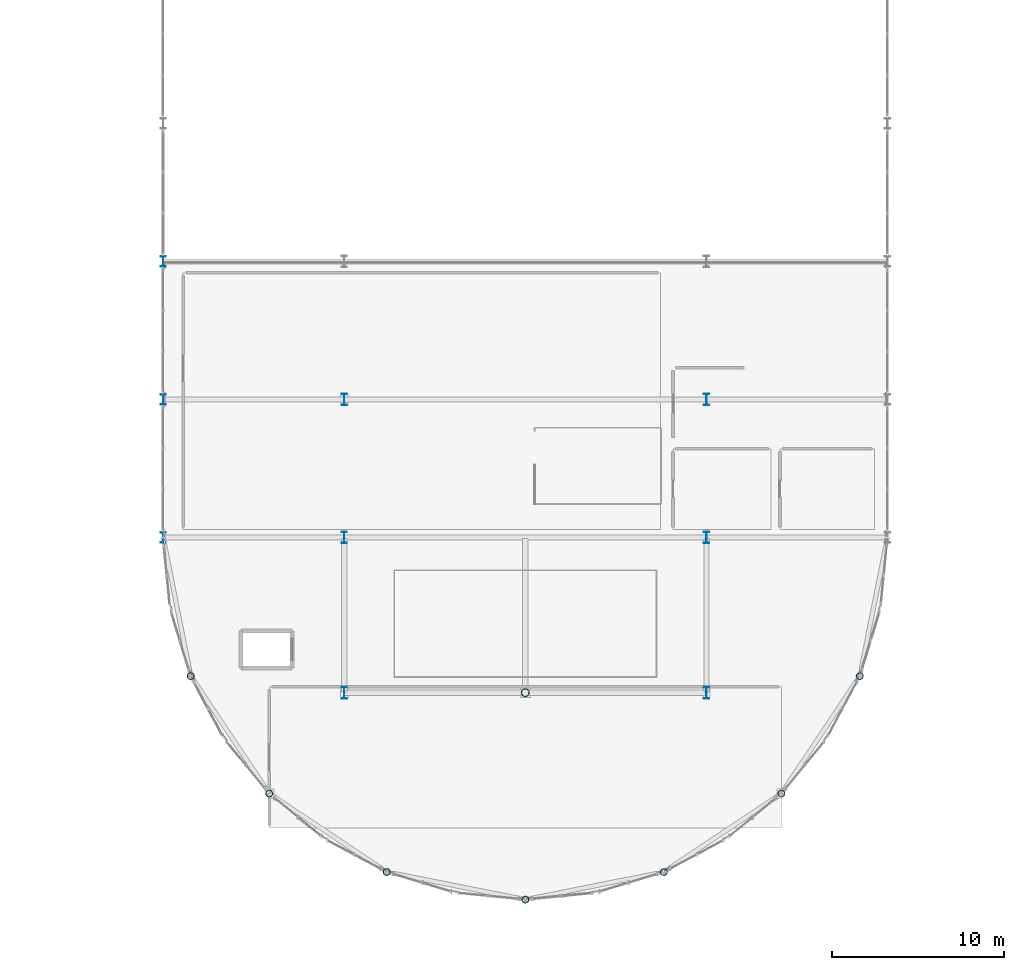
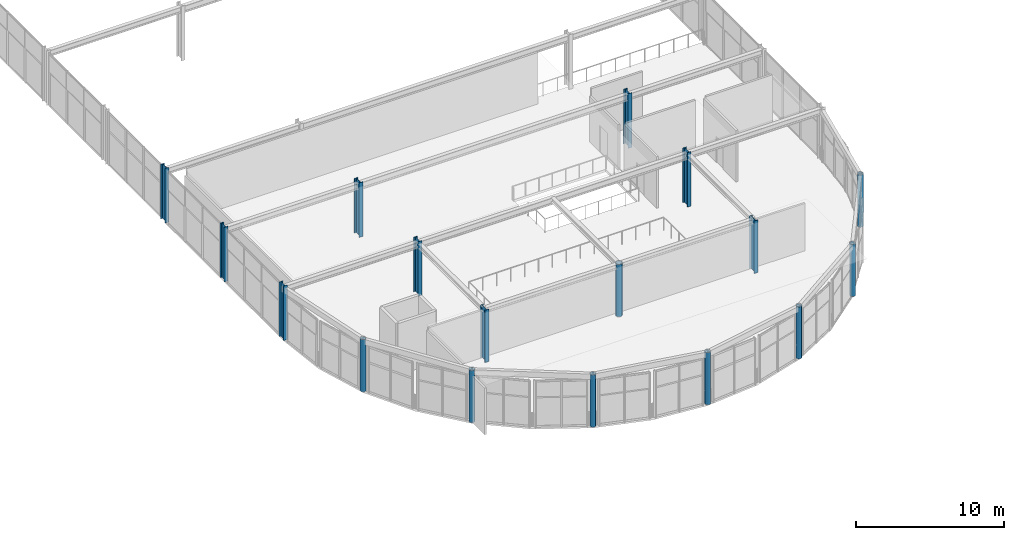
# One storey, part 1 of 105: 17 columns.
"""IFC4 building model written with IfcOpenShell, lengths in metres."""

from ifc_helpers import new_model, si_unit, direction, frame, origin, origin_2d, place, context, subcontext, project, spatial, hollow_circle, i_section, extrude, material, material_profile, profile_set, type_object, element, save


model = new_model("IFC4")

# Units and contexts
model_context = context("Model", 3, precision=1e-05, world=origin(), true_north=direction((0.0, 1.0)))
body_context = subcontext(model_context, "Body", "Model", "MODEL_VIEW")
ifc_project = project(units=[si_unit("LENGTHUNIT", "METRE"), si_unit("AREAUNIT", "SQUARE_METRE"), si_unit("VOLUMEUNIT", "CUBIC_METRE"), si_unit("PLANEANGLEUNIT", "RADIAN"), si_unit("MASSUNIT", "GRAM", prefix="KILO")], contexts=[model_context])

# Site, building, storey
site_placement = place(None, origin())
site = spatial("IfcSite", under=ifc_project, at=site_placement, CompositionType="ELEMENT")
building_placement = place(site_placement, origin())
building = spatial("IfcBuilding", under=site, at=building_placement, Name="Marlcrest Central Station", CompositionType="ELEMENT")
storey_placement = place(building_placement, frame((0.0, 0.0, 15.0)))
storey = spatial("IfcBuildingStorey", under=building, at=storey_placement, Name="L03", CompositionType="ELEMENT", Elevation=15.0)

# Columns
ifc_material = material(Name="Steel S355", Category="steel")
ifc_material_profile_1 = material_profile(ifc_material, i_section(OverallWidth=0.300048828125, OverallDepth=0.60009765625, WebThickness=0.015380859375, FlangeThickness=0.030029296875, FilletRadius=0.027099609375, at=origin_2d()), Name="HEB 600")
ifc_profile_set_1 = profile_set([ifc_material_profile_1], Name="Steel S355")
column_type_1 = type_object("IfcColumnType", Name="SC-05", PredefinedType="COLUMN", material=ifc_profile_set_1)
for number, where, z_axis, x_axis, name in (
    (1, (87.0, 22.5, 0.0), (0.0, 0.0, 1.0), (1.0, 0.0, 0.0), "col-SC-05-L03-0678"),
    (2, (87.0, 30.5, 0.0), (0.0, 0.0, 1.0), (1.0, 0.0, 0.0), "col-SC-05-L03-0696"),
    (3, (87.0, 38.5, 0.0), (0.0, 0.0, 1.0), (1.0, 0.0, 0.0), "col-SC-05-L03-0704"),
):
    element("IfcColumn", number, at=place(storey_placement, frame(where, z_axis=z_axis, x_axis=x_axis)), inside=storey, type_object=column_type_1, Name=name, PredefinedType="COLUMN", context=body_context, shape_type="SweptSolid", body=[
        extrude(i_section(OverallWidth=0.300048828125, OverallDepth=0.60009765625, WebThickness=0.015380859375, FlangeThickness=0.030029296875, FilletRadius=0.027099609375, at=origin_2d()), origin(), (0.0, 0.0, 1.0), 4.5),
    ])
ifc_material_profile_2 = material_profile(ifc_material, i_section(OverallWidth=0.300048828125, OverallDepth=0.64990234375, WebThickness=0.01611328125, FlangeThickness=0.031005859375, FilletRadius=0.027099609375, at=origin_2d()), Name="HEB 650")
ifc_profile_set_2 = profile_set([ifc_material_profile_2], Name="Steel S355")
column_type_2 = type_object("IfcColumnType", Name="SC-06", PredefinedType="COLUMN", material=ifc_profile_set_2)
for number, where, z_axis, x_axis, name in (
    (4, (97.5, 22.5, 0.0), (0.0, 0.0, 1.0), (1.0, 0.0, 0.0), "col-SC-06-L03-0680"),
    (5, (118.5, 22.5, 0.0), (0.0, 0.0, 1.0), (1.0, 0.0, 0.0), "col-SC-06-L03-0682"),
    (6, (97.5, 30.5, 0.0), (0.0, 0.0, 1.0), (1.0, 0.0, 0.0), "col-SC-06-L03-0698"),
    (7, (118.5, 30.5, 0.0), (0.0, 0.0, 1.0), (1.0, 0.0, 0.0), "col-SC-06-L03-0700"),
):
    element("IfcColumn", number, at=place(storey_placement, frame(where, z_axis=z_axis, x_axis=x_axis)), inside=storey, type_object=column_type_2, Name=name, PredefinedType="COLUMN", context=body_context, shape_type="SweptSolid", body=[
        extrude(i_section(OverallWidth=0.300048828125, OverallDepth=0.64990234375, WebThickness=0.01611328125, FlangeThickness=0.031005859375, FilletRadius=0.027099609375, at=origin_2d()), origin(), (0.0, 0.0, 1.0), 4.5),
    ])
ifc_material_profile_3 = material_profile(ifc_material, i_section(OverallWidth=0.300048828125, OverallDepth=0.699951171875, WebThickness=0.01708984375, FlangeThickness=0.031982421875, FilletRadius=0.027099609375, at=origin_2d()), Name="HEB 700")
ifc_profile_set_3 = profile_set([ifc_material_profile_3], Name="Steel S355")
column_type_3 = type_object("IfcColumnType", Name="SC-07", PredefinedType="COLUMN", material=ifc_profile_set_3)
for number, where, z_axis, x_axis, name in (
    (8, (97.5, 13.5, 0.0), (0.0, 0.0, 1.0), (1.0, 0.0, 0.0), "col-SC-07-L03-0818"),
    (9, (118.5, 13.5, 0.0), (0.0, 0.0, 1.0), (1.0, 0.0, 0.0), "col-SC-07-L03-0826"),
):
    element("IfcColumn", number, at=place(storey_placement, frame(where, z_axis=z_axis, x_axis=x_axis)), inside=storey, type_object=column_type_3, Name=name, PredefinedType="COLUMN", context=body_context, shape_type="SweptSolid", body=[
        extrude(i_section(OverallWidth=0.300048828125, OverallDepth=0.699951171875, WebThickness=0.01708984375, FlangeThickness=0.031982421875, FilletRadius=0.027099609375, at=origin_2d()), origin(), (0.0, 0.0, 1.0), 4.324951171875),
    ])
ifc_material_profile_4 = material_profile(ifc_material, hollow_circle(Radius=0.203125, WallThickness=0.02001953125, at=origin_2d()), Name="CHS 406.4x20")
ifc_profile_set_4 = profile_set([ifc_material_profile_4], Name="Steel S355")
column_type_4 = type_object("IfcColumnType", Name="SC-10", PredefinedType="COLUMN", material=ifc_profile_set_4)
for number, where, z_axis, x_axis, name in (
    (10, (88.59912109375, 14.464111328125, 0.0), (0.0, 0.0, 1.0), (1.0, 0.0, 0.0), "col-SC-10-L03-0790"),
    (11, (93.15087890625, 7.65087890625, 0.0), (0.0, 0.0, 1.0), (1.0, 0.0, 0.0), "col-SC-10-L03-0794"),
    (12, (99.964111328125, 3.09912109375, 0.0), (0.0, 0.0, 1.0), (1.0, 0.0, 0.0), "col-SC-10-L03-0798"),
    (13, (108.0, 1.5, 0.0), (0.0, 0.0, 1.0), (1.0, 0.0, 0.0), "col-SC-10-L03-0802"),
    (14, (116.035888671875, 3.09912109375, 0.0), (0.0, 0.0, 1.0), (1.0, 0.0, 0.0), "col-SC-10-L03-0806"),
    (15, (122.84912109375, 7.65087890625, 0.0), (0.0, 0.0, 1.0), (1.0, 0.0, 0.0), "col-SC-10-L03-0810"),
    (16, (127.40087890625, 14.464111328125, 0.0), (0.0, 0.0, 1.0), (1.0, 0.0, 0.0), "col-SC-10-L03-0814"),
):
    element("IfcColumn", number, at=place(storey_placement, frame(where, z_axis=z_axis, x_axis=x_axis)), inside=storey, type_object=column_type_4, Name=name, PredefinedType="COLUMN", context=body_context, shape_type="SweptSolid", body=[
        extrude(hollow_circle(Radius=0.203125, WallThickness=0.02001953125, at=origin_2d()), origin(), (0.0, 0.0, 1.0), 4.31005859375),
    ])
ifc_material_profile_5 = material_profile(ifc_material, hollow_circle(Radius=0.228515625, WallThickness=0.02001953125, at=origin_2d()), Name="CHS 457x20")
ifc_profile_set_5 = profile_set([ifc_material_profile_5], Name="Steel S355")
column_type_5 = type_object("IfcColumnType", Name="SC-11", PredefinedType="COLUMN", material=ifc_profile_set_5)
column_placement = place(storey_placement, frame((108.0, 13.5, 0.0), z_axis=(0.0, 0.0, 1.0), x_axis=(1.0, 0.0, 0.0)))
element("IfcColumn", 17, at=column_placement, inside=storey, type_object=column_type_5, Name="col-SC-11-L03-0822", PredefinedType="COLUMN", context=body_context, shape_type="SweptSolid", body=[
    extrude(hollow_circle(Radius=0.228515625, WallThickness=0.02001953125, at=origin_2d()), origin(), (0.0, 0.0, 1.0), 4.324951171875),
])

save(model, "model.ifc")
